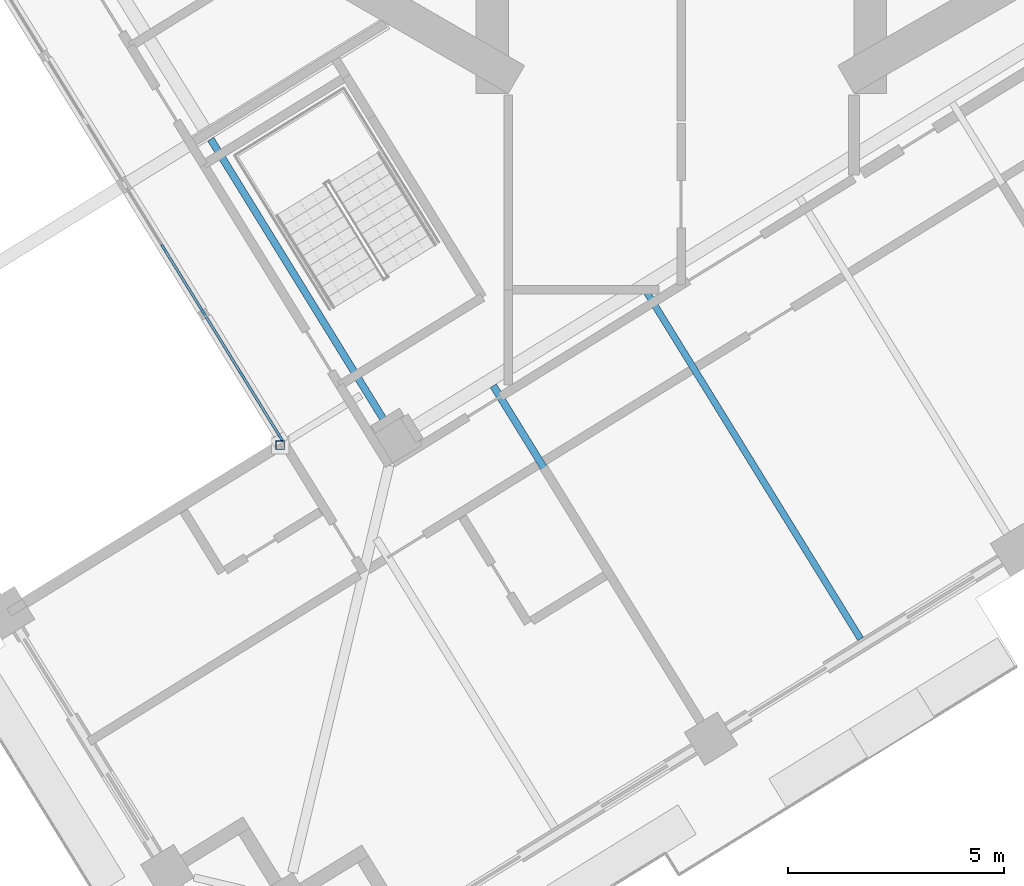
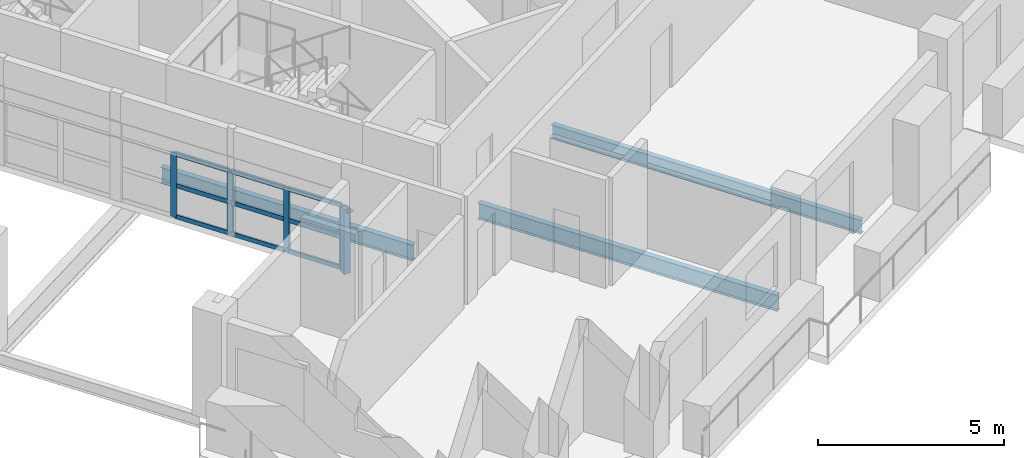
# One storey, part 2 of 22: 14 members, 3 beams, 1 element without a shape of its own.
"""IFC4 building model written with IfcOpenShell, lengths in metres."""

from ifc_helpers import new_model, si_unit, direction, frame, origin, origin_2d, place, context, subcontext, project, spatial, rectangle, hollow_rectangle, i_section, extrude, material, material_profile, profile_set, type_object, element, aggregate, save


model = new_model("IFC4")

# Units and contexts
model_context = context("Model", 3, precision=1e-05, world=origin(), true_north=direction((0.0, 1.0)))
body_context = subcontext(model_context, "Body", "Model", "MODEL_VIEW")
ifc_project = project(units=[si_unit("LENGTHUNIT", "METRE"), si_unit("AREAUNIT", "SQUARE_METRE"), si_unit("VOLUMEUNIT", "CUBIC_METRE"), si_unit("PLANEANGLEUNIT", "RADIAN"), si_unit("MASSUNIT", "GRAM", prefix="KILO")], contexts=[model_context])

# Site, building, storey
site_placement = place(None, origin())
site = spatial("IfcSite", under=ifc_project, at=site_placement, CompositionType="ELEMENT")
building_placement = place(site_placement, origin())
building = spatial("IfcBuilding", under=site, at=building_placement, Name="Cantera Rosa Tower", CompositionType="ELEMENT")
storey_placement = place(building_placement, frame((0.0, 0.0, 166.60009765625)))
storey = spatial("IfcBuildingStorey", under=building, at=storey_placement, Name="L36", CompositionType="ELEMENT", Elevation=166.60009765625)

# Curtain wall, members
ifc_material_1 = material(Name="Aluminium frame with clear glass", Category="aluminium")
curtain_wall_type = type_object("IfcCurtainWallType", Name="CW1 TERRACE POCKET GLAZING", PredefinedType="NOTDEFINED", material=ifc_material_1)
curtain_wall_placement = place(storey_placement, origin())
curtain_wall = element("IfcCurtainWall", 1, at=curtain_wall_placement, inside=storey, type_object=curtain_wall_type, Name="CW1 CW1", PredefinedType="NOTDEFINED")
ifc_material_2 = material(Name="Anodised bronze aluminium", Category="aluminium")
ifc_material_profile_1 = material_profile(ifc_material_2, rectangle(XDim=0.06005859375, YDim=0.179931640625, at=origin_2d()), Name="CW-MULLION 60x180 POCKET")
ifc_profile_set_1 = profile_set([ifc_material_profile_1], Name="Anodised bronze aluminium")
member_type_1 = type_object("IfcMemberType", Name="CW-MULLION 60x180 POCKET", PredefinedType="MULLION", material=ifc_profile_set_1)
member_1_placement = place(storey_placement, frame((-11.976806640625, -13.53662109375, 0.0), z_axis=(0.0, 0.0, 1.0), x_axis=(0.851116672416, 0.524976580369, 0.0)))
member_1 = element("IfcMember", 2, at=member_1_placement, type_object=member_type_1, Name="CW1 mullion 6", PredefinedType="MULLION", context=body_context, shape_type="SweptSolid", body=[
    extrude(rectangle(XDim=0.06005859375, YDim=0.179931640625, at=origin_2d()), origin(), (0.0, 0.0, 1.0), 2.10400390625),
])
member_2_placement = place(storey_placement, frame((-11.07177734375, -15.003662109375, 0.0), z_axis=(0.0, 0.0, 1.0), x_axis=(0.851116672416, 0.524976580369, 0.0)))
member_2 = element("IfcMember", 3, at=member_2_placement, type_object=member_type_1, Name="CW1 mullion 7", PredefinedType="MULLION", context=body_context, shape_type="SweptSolid", body=[
    extrude(rectangle(XDim=0.06005859375, YDim=0.179931640625, at=origin_2d()), origin(), (0.0, 0.0, 1.0), 2.10400390625),
])
member_3_placement = place(storey_placement, frame((-10.166748046875, -16.470947265625, 0.0), z_axis=(0.0, 0.0, 1.0), x_axis=(0.851116672416, 0.524976580369, 0.0)))
member_3 = element("IfcMember", 4, at=member_3_placement, type_object=member_type_1, Name="CW1 mullion 8", PredefinedType="MULLION", context=body_context, shape_type="SweptSolid", body=[
    extrude(rectangle(XDim=0.06005859375, YDim=0.179931640625, at=origin_2d()), origin(), (0.0, 0.0, 1.0), 2.10400390625),
])
member_4_placement = place(storey_placement, frame((-9.277587890625, -17.912353515625, 0.0), z_axis=(0.0, 0.0, 1.0), x_axis=(0.851116672416, 0.524976580369, 0.0)))
member_4 = element("IfcMember", 5, at=member_4_placement, type_object=member_type_1, Name="CW1 mullion 9", PredefinedType="MULLION", context=body_context, shape_type="SweptSolid", body=[
    extrude(rectangle(XDim=0.06005859375, YDim=0.179931640625, at=origin_2d()), origin(), (0.0, 0.0, 1.0), 2.10400390625),
])
ifc_material_3 = material(Name="Anodised bronze aluminium", Category="aluminium")
ifc_material_profile_2 = material_profile(ifc_material_3, rectangle(XDim=0.06005859375, YDim=0.139892578125, at=origin_2d()), Name="CW-TRANSOM 60x140 POCKET")
ifc_profile_set_2 = profile_set([ifc_material_profile_2], Name="Anodised bronze aluminium")
member_type_2 = type_object("IfcMemberType", Name="CW-TRANSOM 60x140 POCKET", PredefinedType="USERDEFINED", material=ifc_profile_set_2)
member_5_placement = place(storey_placement, frame((-11.9609375, -13.562255859375, 0.02978515625), z_axis=(0.524924142227, -0.851149014514, 0.0), x_axis=(0.851149014514, 0.524924142227, 0.0)))
member_5 = element("IfcMember", 6, at=member_5_placement, type_object=member_type_2, Name="CW1 transom 6.1", ObjectType="TRANSOM", PredefinedType="USERDEFINED", context=body_context, shape_type="SweptSolid", body=[
    extrude(rectangle(XDim=0.06005859375, YDim=0.139892578125, at=origin_2d()), origin(), (0.0, 0.0, 1.0), 1.66357421875),
])
member_6_placement = place(storey_placement, frame((-11.9609375, -13.562255859375, 1.052001953125), z_axis=(0.524924142227, -0.851149014514, 0.0), x_axis=(0.851149014514, 0.524924142227, 0.0)))
member_6 = element("IfcMember", 7, at=member_6_placement, type_object=member_type_2, Name="CW1 transom 6.2", ObjectType="TRANSOM", PredefinedType="USERDEFINED", context=body_context, shape_type="SweptSolid", body=[
    extrude(rectangle(XDim=0.06005859375, YDim=0.139892578125, at=origin_2d()), origin(), (0.0, 0.0, 1.0), 1.66357421875),
])
member_7_placement = place(storey_placement, frame((-11.9609375, -13.562255859375, 2.073974609375), z_axis=(0.524924142227, -0.851149014514, 0.0), x_axis=(0.851149014514, 0.524924142227, 0.0)))
member_7 = element("IfcMember", 8, at=member_7_placement, type_object=member_type_2, Name="CW1 transom 6.3", ObjectType="TRANSOM", PredefinedType="USERDEFINED", context=body_context, shape_type="SweptSolid", body=[
    extrude(rectangle(XDim=0.06005859375, YDim=0.139892578125, at=origin_2d()), origin(), (0.0, 0.0, 1.0), 1.66357421875),
])
member_8_placement = place(storey_placement, frame((-11.05615234375, -15.029296875, 0.02978515625), z_axis=(0.525030443539, -0.851083446765, 0.0), x_axis=(0.851083446765, 0.525030443539, 0.0)))
member_8 = element("IfcMember", 9, at=member_8_placement, type_object=member_type_2, Name="CW1 transom 7.1", ObjectType="TRANSOM", PredefinedType="USERDEFINED", context=body_context, shape_type="SweptSolid", body=[
    extrude(rectangle(XDim=0.06005859375, YDim=0.139892578125, at=origin_2d()), origin(), (0.0, 0.0, 1.0), 1.663818359375),
])
member_9_placement = place(storey_placement, frame((-11.05615234375, -15.029296875, 1.052001953125), z_axis=(0.525030443539, -0.851083446765, 0.0), x_axis=(0.851083446765, 0.525030443539, 0.0)))
member_9 = element("IfcMember", 10, at=member_9_placement, type_object=member_type_2, Name="CW1 transom 7.2", ObjectType="TRANSOM", PredefinedType="USERDEFINED", context=body_context, shape_type="SweptSolid", body=[
    extrude(rectangle(XDim=0.06005859375, YDim=0.139892578125, at=origin_2d()), origin(), (0.0, 0.0, 1.0), 1.663818359375),
])
member_10_placement = place(storey_placement, frame((-11.05615234375, -15.029296875, 2.073974609375), z_axis=(0.525030443539, -0.851083446765, 0.0), x_axis=(0.851083446765, 0.525030443539, 0.0)))
member_10 = element("IfcMember", 11, at=member_10_placement, type_object=member_type_2, Name="CW1 transom 7.3", ObjectType="TRANSOM", PredefinedType="USERDEFINED", context=body_context, shape_type="SweptSolid", body=[
    extrude(rectangle(XDim=0.06005859375, YDim=0.139892578125, at=origin_2d()), origin(), (0.0, 0.0, 1.0), 1.663818359375),
])
member_11_placement = place(storey_placement, frame((-10.151123046875, -16.496337890625, 0.02978515625), z_axis=(0.524939222981, -0.851139713664, 0.0), x_axis=(0.851139713664, 0.524939222981, 0.0)))
member_11 = element("IfcMember", 12, at=member_11_placement, type_object=member_type_2, Name="CW1 transom 8.1", ObjectType="TRANSOM", PredefinedType="USERDEFINED", context=body_context, shape_type="SweptSolid", body=[
    extrude(rectangle(XDim=0.06005859375, YDim=0.139892578125, at=origin_2d()), origin(), (0.0, 0.0, 1.0), 1.6337890625),
])
member_12_placement = place(storey_placement, frame((-10.151123046875, -16.496337890625, 1.052001953125), z_axis=(0.524939222981, -0.851139713664, 0.0), x_axis=(0.851139713664, 0.524939222981, 0.0)))
member_12 = element("IfcMember", 13, at=member_12_placement, type_object=member_type_2, Name="CW1 transom 8.2", ObjectType="TRANSOM", PredefinedType="USERDEFINED", context=body_context, shape_type="SweptSolid", body=[
    extrude(rectangle(XDim=0.06005859375, YDim=0.139892578125, at=origin_2d()), origin(), (0.0, 0.0, 1.0), 1.6337890625),
])
member_13_placement = place(storey_placement, frame((-10.151123046875, -16.496337890625, 2.073974609375), z_axis=(0.524939222981, -0.851139713664, 0.0), x_axis=(0.851139713664, 0.524939222981, 0.0)))
member_13 = element("IfcMember", 14, at=member_13_placement, type_object=member_type_2, Name="CW1 transom 8.3", ObjectType="TRANSOM", PredefinedType="USERDEFINED", context=body_context, shape_type="SweptSolid", body=[
    extrude(rectangle(XDim=0.06005859375, YDim=0.139892578125, at=origin_2d()), origin(), (0.0, 0.0, 1.0), 1.6337890625),
])
aggregate(curtain_wall, [member_1, member_2, member_3, member_4, member_5, member_6, member_7, member_8, member_9, member_10, member_11, member_12, member_13])

# Member
ifc_material_4 = material(Name="Steel ASTM A992 (Fy 345 MPa)", Category="steel")
ifc_material_profile_3 = material_profile(ifc_material_4, hollow_rectangle(XDim=0.199951171875, YDim=0.199951171875, WallThickness=0.010009765625, at=origin_2d()), Name="LINTEL POST RHS 200x200x10")
ifc_profile_set_3 = profile_set([ifc_material_profile_3], Name="Steel ASTM A992 (Fy 345 MPa)")
member_type_3 = type_object("IfcMemberType", Name="LINTEL POST RHS 200x200x10", PredefinedType="USERDEFINED", material=ifc_profile_set_3)
member_14_placement = place(storey_placement, frame((-9.281494140625, -18.096923828125, 0.0), z_axis=(0.0, 0.0, 1.0), x_axis=(1.0, 0.0, 0.0)))
element("IfcMember", 15, at=member_14_placement, inside=storey, type_object=member_type_3, Name="LINTEL POST L36-2", ObjectType="LINTEL POST", PredefinedType="USERDEFINED", context=body_context, shape_type="SweptSolid", body=[
    extrude(hollow_rectangle(XDim=0.199951171875, YDim=0.199951171875, WallThickness=0.010009765625, at=origin_2d()), origin(), (0.0, 0.0, 1.0), 2.10595703125),
])

# Beams
ifc_material_5 = material(Name="Steel ASTM A992 (Fy 345 MPa)", Category="steel")
ifc_material_profile_4 = material_profile(ifc_material_5, i_section(OverallWidth=0.166015625, OverallDepth=0.528076171875, WebThickness=0.009765625, FlangeThickness=0.013671875, FilletRadius=0.0126953125, at=origin_2d()), Name="W530X74")
ifc_profile_set_4 = profile_set([ifc_material_profile_4], Name="Steel ASTM A992 (Fy 345 MPa)")
beam_type_1 = type_object("IfcBeamType", Name="STEEL BEAM W530X74", PredefinedType="BEAM", material=ifc_profile_set_4)
beam_1_placement = place(storey_placement, frame((0.455078125, -24.51025390625, -0.51416015625), z_axis=(-0.524976979362, 0.851116426313, 0.0), x_axis=(-0.851116426313, -0.524976979362, 0.0)))
element("IfcBeam", 16, at=beam_1_placement, inside=storey, type_object=beam_type_1, Name="G-Z3-09 L36", PredefinedType="BEAM", context=body_context, shape_type="SweptSolid", body=[
    extrude(i_section(OverallWidth=0.166015625, OverallDepth=0.528076171875, WebThickness=0.009765625, FlangeThickness=0.013671875, FilletRadius=0.0126953125, at=origin_2d()), origin(), (0.0, 0.0, 1.0), 9.14990234375),
])
beam_2_placement = place(storey_placement, frame((-6.850830078125, -17.56103515625, -0.51416015625), z_axis=(-0.52497571981, 0.851117203216, 0.0), x_axis=(-0.851117203216, -0.52497571981, 0.0)))
element("IfcBeam", 17, at=beam_2_placement, inside=storey, type_object=beam_type_1, Name="RB-Z3-07 L36", PredefinedType="BEAM", context=body_context, shape_type="SweptSolid", body=[
    extrude(i_section(OverallWidth=0.166015625, OverallDepth=0.528076171875, WebThickness=0.009765625, FlangeThickness=0.013671875, FilletRadius=0.0126953125, at=origin_2d()), origin(), (0.0, 0.0, 1.0), 7.690185546875),
])
ifc_material_6 = material(Name="Steel ASTM A992 (Fy 345 MPa)", Category="steel")
ifc_material_profile_5 = material_profile(ifc_material_6, i_section(OverallWidth=0.154052734375, OverallDepth=0.4599609375, WebThickness=0.009033203125, FlangeThickness=0.015380859375, FilletRadius=0.01025390625, at=origin_2d()), Name="W460X68")
ifc_profile_set_5 = profile_set([ifc_material_profile_5], Name="Steel ASTM A992 (Fy 345 MPa)")
beam_type_2 = type_object("IfcBeamType", Name="STEEL JOIST W460X68", PredefinedType="JOIST", material=ifc_profile_set_5)
beam_3_placement = place(storey_placement, frame((4.1533203125, -22.581787109375, -0.47998046875), z_axis=(-0.524980724235, 0.851114116427, 0.0), x_axis=(-0.851114116427, -0.524980724235, 0.0)))
element("IfcBeam", 18, at=beam_3_placement, inside=storey, type_object=beam_type_2, Name="B-Z3-12 L36", PredefinedType="JOIST", context=body_context, shape_type="SweptSolid", body=[
    extrude(i_section(OverallWidth=0.154052734375, OverallDepth=0.4599609375, WebThickness=0.009033203125, FlangeThickness=0.015380859375, FilletRadius=0.01025390625, at=origin_2d()), origin(), (0.0, 0.0, 1.0), 9.4501953125),
])

save(model, "model.ifc")
